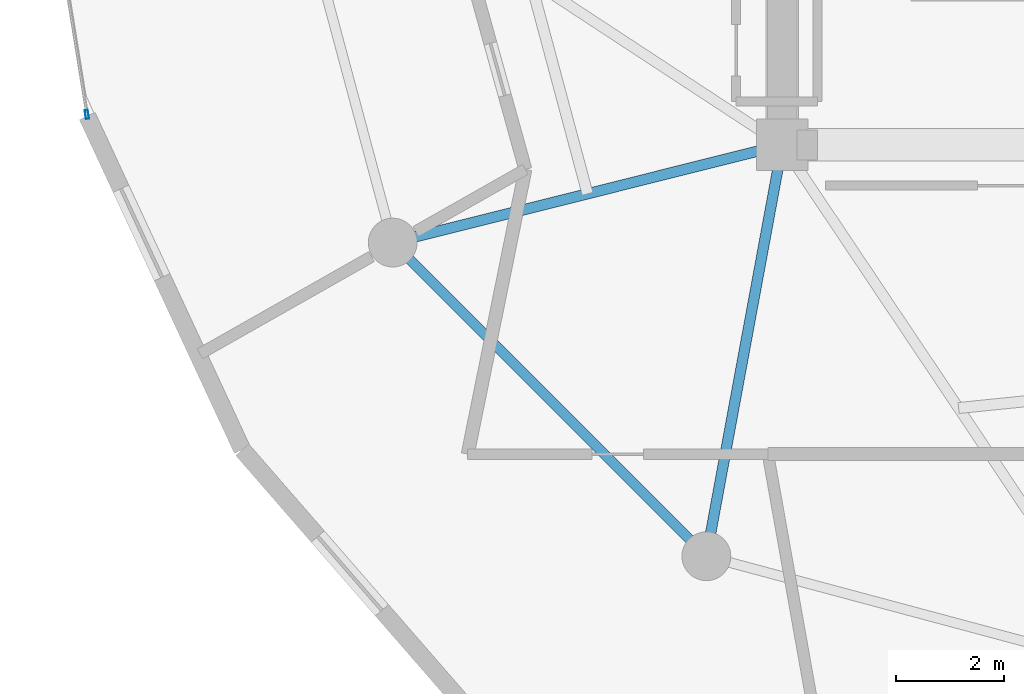
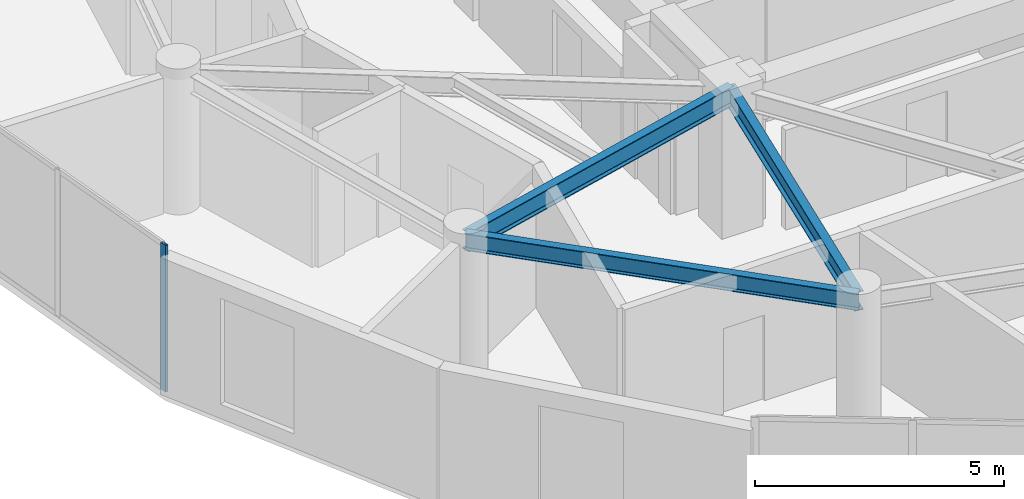
# One storey, part 3 of 22: 3 beams, 1 member, 1 element without a shape of its own.
"""IFC4 building model written with IfcOpenShell, lengths in metres."""

from ifc_helpers import new_model, si_unit, direction, frame, origin, origin_2d, place, context, subcontext, project, spatial, hollow_rectangle, i_section, extrude, source, transform, mapped, material, layer, layer_set, material_profile, profile_set, type_object, element, aggregate, save


model = new_model("IFC4")

# Units and contexts
model_context = context("Model", 3, precision=1e-05, world=origin(), true_north=direction((0.0, 1.0)))
body_context = subcontext(model_context, "Body", "Model", "MODEL_VIEW")
ifc_project = project(units=[si_unit("LENGTHUNIT", "METRE"), si_unit("AREAUNIT", "SQUARE_METRE"), si_unit("VOLUMEUNIT", "CUBIC_METRE"), si_unit("PLANEANGLEUNIT", "RADIAN"), si_unit("MASSUNIT", "GRAM", prefix="KILO")], contexts=[model_context])

# Site, building, storey
site_placement = place(None, origin())
site = spatial("IfcSite", under=ifc_project, at=site_placement, CompositionType="ELEMENT")
building_placement = place(site_placement, origin())
building = spatial("IfcBuilding", under=site, at=building_placement, Name="Solvirekh Grand Hotel", CompositionType="ELEMENT")
storey_placement = place(building_placement, frame((0.0, 0.0, 227.199951171875)))
storey = spatial("IfcBuildingStorey", under=building, at=storey_placement, Name="L59", CompositionType="ELEMENT", Elevation=227.199951171875)

# Beams
ifc_material_1 = material(Name="Steel S355", Category="steel")
ifc_material_profile_1 = material_profile(ifc_material_1, i_section(OverallWidth=0.194091796875, OverallDepth=0.468994140625, WebThickness=0.010986328125, FlangeThickness=0.01904296875, FilletRadius=0.012939453125, at=origin_2d()), Name="W460X106")
ifc_profile_set_1 = profile_set([ifc_material_profile_1], Name="Steel S355")
beam_type_1 = type_object("IfcBeamType", Name="Beam_Radial_W460H", PredefinedType="BEAM", material=ifc_profile_set_1)
beam_1_placement = place(storey_placement, frame((-6.5, -6.10009765625, 3.1259765625), z_axis=(-0.970014367692, -0.243047580675, 0.0), x_axis=(0.243047580675, -0.970014367692, 0.0)))
element("IfcBeam", 1, at=beam_1_placement, inside=storey, type_object=beam_type_1, Name="L59 radial floor beam R08", PredefinedType="BEAM", context=body_context, shape_type="SweptSolid", body=[
    extrude(i_section(OverallWidth=0.194091796875, OverallDepth=0.468994140625, WebThickness=0.010986328125, FlangeThickness=0.01904296875, FilletRadius=0.012939453125, at=origin_2d()), origin(), (0.0, 0.0, 1.0), 7.4052734375),
])
beam_2_placement = place(storey_placement, frame((-6.5, -6.10009765625, 3.1259765625), z_axis=(-0.181542769111, -0.983383049978, 0.0), x_axis=(0.983383049978, -0.181542769111, 0.0)))
element("IfcBeam", 2, at=beam_2_placement, inside=storey, type_object=beam_type_1, Name="L59 radial floor beam R09", PredefinedType="BEAM", context=body_context, shape_type="SweptSolid", body=[
    extrude(i_section(OverallWidth=0.194091796875, OverallDepth=0.468994140625, WebThickness=0.010986328125, FlangeThickness=0.01904296875, FilletRadius=0.012939453125, at=origin_2d()), origin(), (0.0, 0.0, 1.0), 7.711181640625),
])
ifc_material_profile_2 = material_profile(ifc_material_1, i_section(OverallWidth=0.180908203125, OverallDepth=0.4169921875, WebThickness=0.010009765625, FlangeThickness=0.01611328125, FilletRadius=0.011962890625, at=origin_2d()), Name="W410X85")
ifc_profile_set_2 = profile_set([ifc_material_profile_2], Name="Steel S355")
beam_type_2 = type_object("IfcBeamType", Name="Spandrel_Ring_W410", PredefinedType="SPANDREL", material=ifc_profile_set_2)
beam_3_placement = place(storey_placement, frame((-13.68310546875, -7.89990234375, 3.152099609375), z_axis=(0.707106781187, -0.707106781187, 0.0), x_axis=(0.707106781187, 0.707106781187, 0.0)))
element("IfcBeam", 3, at=beam_3_placement, inside=storey, type_object=beam_type_2, Name="L59 perimeter spandrel beam 8", PredefinedType="SPANDREL", context=body_context, shape_type="SweptSolid", body=[
    extrude(i_section(OverallWidth=0.180908203125, OverallDepth=0.4169921875, WebThickness=0.010009765625, FlangeThickness=0.01611328125, FilletRadius=0.011962890625, at=origin_2d()), origin(), (0.0, 0.0, 1.0), 8.1787109375),
])

# Curtain wall, member
ifc_material_2 = material(Name="Anodized Bronze Aluminium 6063-T6", Category="aluminium")
ifc_layer = layer(ifc_material_2, 0.159912109375)
ifc_layer_set = layer_set([ifc_layer], Name="Anodized Bronze Aluminium 6063-T6")
curtain_wall_type = type_object("IfcCurtainWallType", Name="CW_Sys4_HighZoneFlushBronzeCW", PredefinedType="NOTDEFINED", material=ifc_layer_set)
curtain_wall_placement = place(storey_placement, origin())
curtain_wall = element("IfcCurtainWall", 4, at=curtain_wall_placement, inside=storey, type_object=curtain_wall_type, Name="L59 unitised bronze-glass curtain wall CW-L59-C15", PredefinedType="NOTDEFINED")
ifc_material_profile_3 = material_profile(ifc_material_2, hollow_rectangle(XDim=0.06005859375, YDim=0.159912109375, WallThickness=0.0048828125, at=origin_2d()), Name="ALU RHS 160X60X5")
ifc_profile_set_3 = profile_set([ifc_material_profile_3], Name="Anodized Bronze Aluminium 6063-T6")
member_type = type_object("IfcMemberType", Name="CWMullion_Sys4", PredefinedType="MULLION", material=ifc_profile_set_3)
shared_shape = source(origin(), body_context, "Body", "SweptSolid", [
    extrude(hollow_rectangle(XDim=0.06005859375, YDim=0.159912109375, WallThickness=0.0048828125, at=origin_2d()), origin(), (0.0, 0.0, 1.0), 3.60009765625),
])
member_placement = place(storey_placement, frame((-19.32080078125, -5.538330078125, 0.0), z_axis=(0.0, 0.0, 1.0), x_axis=(0.987252328188, 0.159162936916, 0.0)))
member = element("IfcMember", 5, at=member_placement, type_object=member_type, Name="U04 mullion 3", PredefinedType="MULLION", context=body_context, shape_type="MappedRepresentation", body=[
    mapped(shared_shape, transform((0.0, 0.0, 0.0), x_axis=(1.0, 0.0, 0.0), y_axis=(0.0, 1.0, 0.0), z_axis=(0.0, 0.0, 1.0), scale=1.0)),
])
aggregate(curtain_wall, [member])

save(model, "model.ifc")
